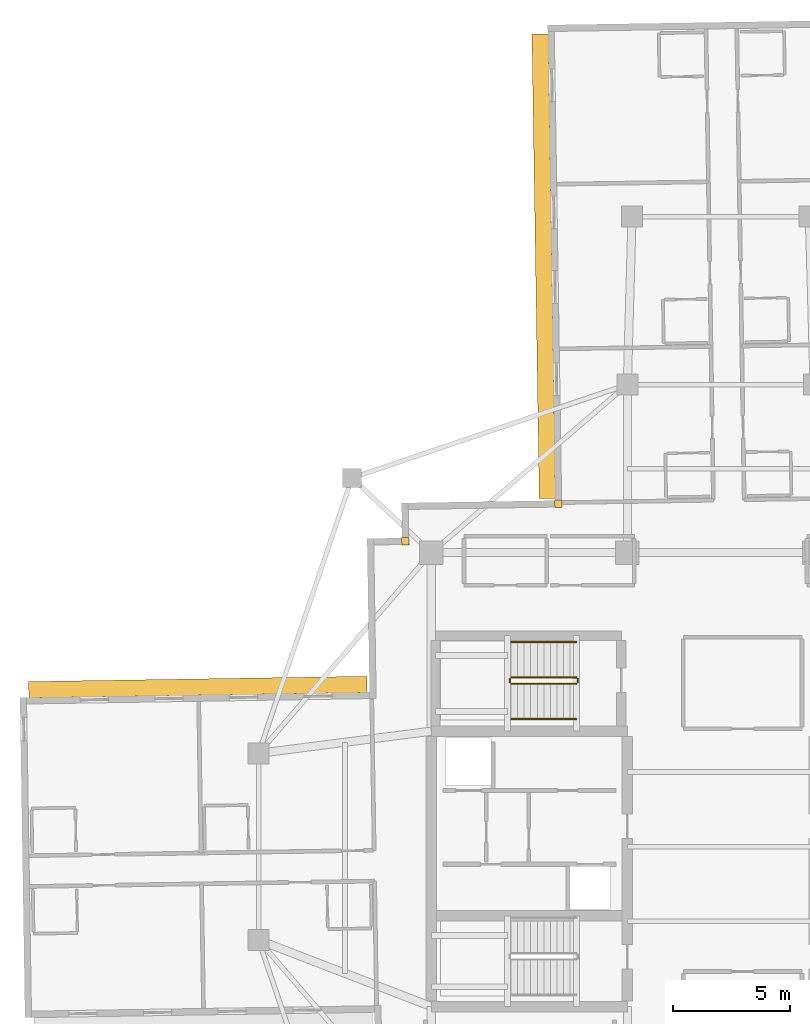
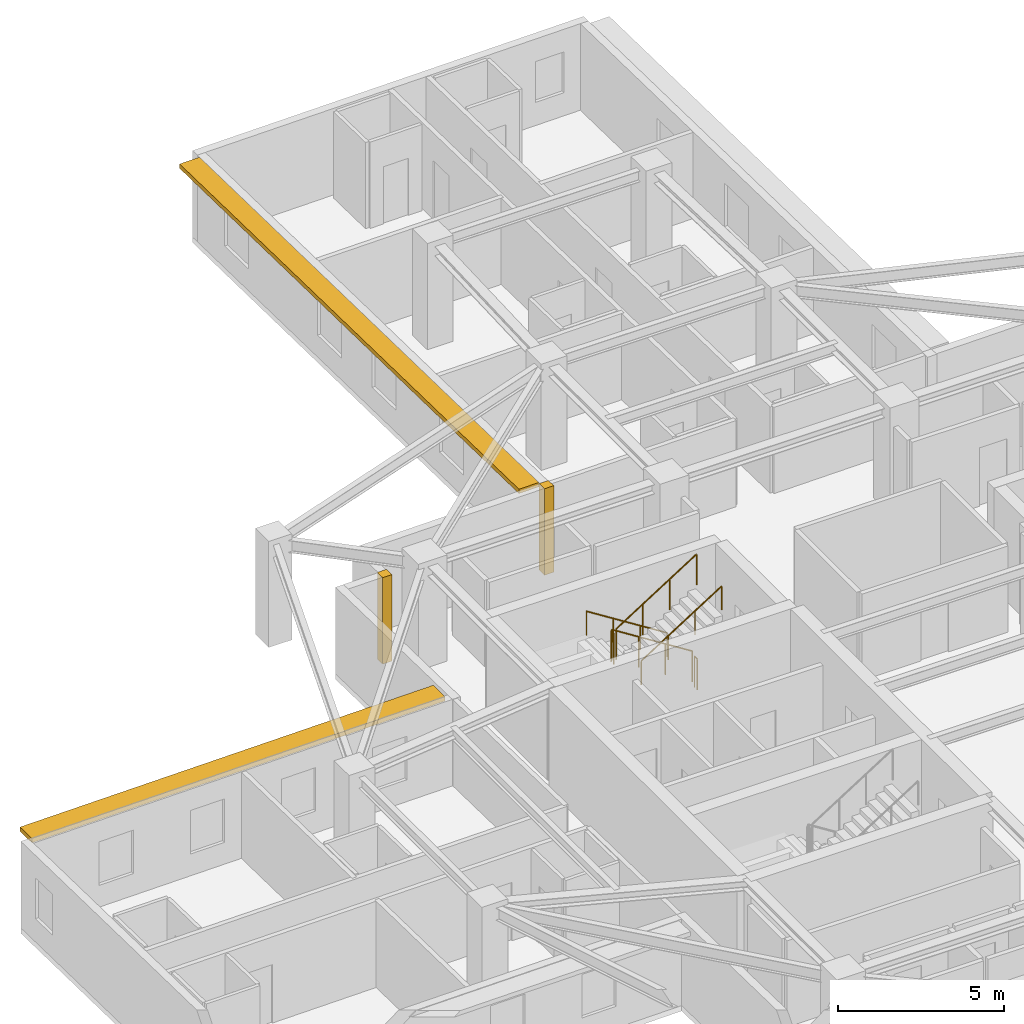
# One storey, part 12 of 13: 6 railings, 2 coverings, 2 shading devices.
"""IFC4 building model written with IfcOpenShell, lengths in metres."""

from ifc_helpers import new_model, si_unit, direction, frame, origin, origin_2d, place, context, subcontext, project, spatial, rectangle, circle, extrude, material, layer, layer_set, type_object, element, save


model = new_model("IFC4")

# Units and contexts
model_context = context("Model", 3, precision=1e-05, world=origin(), true_north=direction((0.0, 1.0)))
body_context = subcontext(model_context, "Body", "Model", "MODEL_VIEW")
ifc_project = project(units=[si_unit("LENGTHUNIT", "METRE"), si_unit("AREAUNIT", "SQUARE_METRE"), si_unit("VOLUMEUNIT", "CUBIC_METRE"), si_unit("PLANEANGLEUNIT", "RADIAN"), si_unit("MASSUNIT", "GRAM", prefix="KILO")], contexts=[model_context])

# Site, building, storey
site_placement = place(None, origin())
site = spatial("IfcSite", under=ifc_project, at=site_placement, CompositionType="ELEMENT")
building_placement = place(site_placement, origin())
building = spatial("IfcBuilding", under=site, at=building_placement, Name="Qingluan Cross Belvedere", CompositionType="ELEMENT")
storey_placement = place(building_placement, frame((0.0, 0.0, 220.800048828125)))
storey = spatial("IfcBuildingStorey", under=building, at=storey_placement, Name="L55", CompositionType="ELEMENT", Elevation=220.800048828125)

# Coverings
ifc_material_1 = material(Name="Precast concrete C45", Category="concrete")
ifc_layer_1 = layer(ifc_material_1, 0.1201171875, Name="ConcreteSpandrelCladding_120")
ifc_layer_set_1 = layer_set([ifc_layer_1], Name="Precast concrete C45")
covering_type = type_object("IfcCoveringType", Name="ConcreteSpandrelCladding_120", PredefinedType="CLADDING", material=ifc_layer_set_1)
for number, where, z_axis, x_axis, name in (
    (1, (-13.50732421875, 13.089599609375, 0.0), (0.0, 0.0, 1.0), (0.999876632482, 0.015707317312, 0.0), "Corner closure L55-NW1"),
    (2, (-6.95166015625, 14.692626953125, 0.0), (0.0, 0.0, 1.0), (0.999876632482, 0.015707317312, 0.0), "Corner closure L55-NW2"),
):
    element("IfcCovering", number, at=place(storey_placement, frame(where, z_axis=z_axis, x_axis=x_axis)), inside=storey, type_object=covering_type, Name=name, PredefinedType="CLADDING", context=body_context, shape_type="SweptSolid", body=[
        extrude(rectangle(XDim=0.320068359375, YDim=0.320068359375, at=origin_2d()), origin(), (0.0, 0.0, 1.0), 3.179931640625),
    ])

# Shading devices
ifc_material_2 = material(Name="Precast concrete C45", Category="concrete")
ifc_layer_2 = layer(ifc_material_2, 0.139892578125, Name="ConcreteSunshadeBand_700")
ifc_layer_set_2 = layer_set([ifc_layer_2], Name="Precast concrete C45")
shading_device_type = type_object("IfcShadingDeviceType", Name="ConcreteSunshadeBand_700", PredefinedType="USERDEFINED", material=ifc_layer_set_2)
shading_device_1_placement = place(storey_placement, frame((-7.58154296875, 24.8740234375, 3.0), z_axis=(0.0, 0.0, 1.0), x_axis=(0.015711457647, -0.999876567432, 0.0)))
element("IfcShadingDevice", 3, at=shading_device_1_placement, inside=storey, type_object=shading_device_type, Name="Concrete SUNSHADE L55-NB", ObjectType="SUNSHADE", PredefinedType="USERDEFINED", context=body_context, shape_type="SweptSolid", body=[
    extrude(rectangle(XDim=19.89990234375, YDim=0.699951171875, at=origin_2d()), origin(), (0.0, 0.0, 1.0), 0.159912109375),
])
shading_device_2_placement = place(storey_placement, frame((-22.400146484375, 6.839111328125, 3.0), z_axis=(0.0, 0.0, 1.0), x_axis=(-0.999876630106, -0.015707468526, 0.0)))
element("IfcShadingDevice", 4, at=shading_device_2_placement, inside=storey, type_object=shading_device_type, Name="Concrete SUNSHADE L55-WA", ObjectType="SUNSHADE", PredefinedType="USERDEFINED", context=body_context, shape_type="SweptSolid", body=[
    extrude(rectangle(XDim=14.5, YDim=0.699951171875, at=origin_2d()), origin(), (0.0, 0.0, 1.0), 0.159912109375),
])

# Railings
ifc_material_3 = material(Name="Brushed stainless steel tubular handrail", Category="steel")
railing_type_1 = type_object("IfcRailingType", Name="StairPitchHandrail_900", PredefinedType="HANDRAIL", material=ifc_material_3)
railing_1_placement = place(storey_placement, frame((-6.179931640625, 8.77001953125, 0.17724609375)))
element("IfcRailing", 5, at=railing_1_placement, inside=storey, type_object=railing_type_1, Name="L55 ST3 stair handrail 1", PredefinedType="HANDRAIL", context=body_context, shape_type="SweptSolid", body=[
    extrude(circle(Radius=0.02392578125, at=origin_2d()), frame((0.0, 0.0, 0.8759765625), z_axis=(-0.844908973607, 0.0, 0.534910110503), x_axis=(0.0, -1.0, 0.0)), (0.0, 0.0, 1.0), 3.31396484375),
    extrude(circle(Radius=0.02099609375, at=origin_2d()), origin(), (0.0, 0.0, 1.0), 0.851806640625),
    extrude(circle(Radius=0.02099609375, at=origin_2d()), frame((-0.933349609375, 0.0, 0.5908203125)), (0.0, 0.0, 1.0), 0.851806640625),
    extrude(circle(Radius=0.02099609375, at=origin_2d()), frame((-1.86669921875, 0.0, 1.181884765625)), (0.0, 0.0, 1.0), 0.851806640625),
    extrude(circle(Radius=0.02099609375, at=origin_2d()), frame((-2.800048828125, 0.0, 1.772705078125)), (0.0, 0.0, 1.0), 0.851806640625),
])
railing_2_placement = place(storey_placement, frame((-8.97998046875, 5.469970703125, 2.127197265625)))
element("IfcRailing", 6, at=railing_2_placement, inside=storey, type_object=railing_type_1, Name="L55 ST3 stair handrail 2", PredefinedType="HANDRAIL", context=body_context, shape_type="SweptSolid", body=[
    extrude(circle(Radius=0.02392578125, at=origin_2d()), frame((0.0, 0.0, 0.8759765625), z_axis=(0.844908973607, 0.0, 0.534910110503), x_axis=(0.0, 1.0, 0.0)), (0.0, 0.0, 1.0), 3.31396484375),
    extrude(circle(Radius=0.02099609375, at=origin_2d()), origin(), (0.0, 0.0, 1.0), 0.851806640625),
    extrude(circle(Radius=0.02099609375, at=origin_2d()), frame((0.933349609375, 0.0, 0.5908203125)), (0.0, 0.0, 1.0), 0.851806640625),
    extrude(circle(Radius=0.02099609375, at=origin_2d()), frame((1.86669921875, 0.0, 1.181884765625)), (0.0, 0.0, 1.0), 0.851806640625),
    extrude(circle(Radius=0.02099609375, at=origin_2d()), frame((2.800048828125, 0.0, 1.772705078125)), (0.0, 0.0, 1.0), 0.851806640625),
])
ifc_material_4 = material(Name="Painted steel stair well guard", Category="steel")
railing_type_2 = type_object("IfcRailingType", Name="StairWellGuard_1150", PredefinedType="BALUSTRADE", material=ifc_material_4)
railing_3_placement = place(storey_placement, frame((-6.179931640625, 7.25, 0.17724609375)))
element("IfcRailing", 7, at=railing_3_placement, inside=storey, type_object=railing_type_2, Name="L55 ST3 stair guard 1", PredefinedType="BALUSTRADE", context=body_context, shape_type="SweptSolid", body=[
    extrude(circle(Radius=0.02392578125, at=origin_2d()), frame((0.0, 0.0, 1.1259765625), z_axis=(-0.844908973607, 0.0, 0.534910110503), x_axis=(0.0, -1.0, 0.0)), (0.0, 0.0, 1.0), 3.31396484375),
    extrude(circle(Radius=0.02099609375, at=origin_2d()), origin(), (0.0, 0.0, 1.0), 1.101806640625),
    extrude(circle(Radius=0.02099609375, at=origin_2d()), frame((-0.933349609375, 0.0, 0.5908203125)), (0.0, 0.0, 1.0), 1.101806640625),
    extrude(circle(Radius=0.02099609375, at=origin_2d()), frame((-1.86669921875, 0.0, 1.181884765625)), (0.0, 0.0, 1.0), 1.101806640625),
    extrude(circle(Radius=0.02099609375, at=origin_2d()), frame((-2.800048828125, 0.0, 1.772705078125)), (0.0, 0.0, 1.0), 1.101806640625),
])
railing_4_placement = place(storey_placement, frame((-9.030029296875, 7.199951171875, 1.949951171875)))
element("IfcRailing", 8, at=railing_4_placement, inside=storey, type_object=railing_type_2, Name="L55 ST3 stair guard 2", PredefinedType="BALUSTRADE", context=body_context, shape_type="SweptSolid", body=[
    extrude(circle(Radius=0.02392578125, at=origin_2d()), frame((0.0, 0.0, 1.1259765625), z_axis=(0.0, -1.0, 0.0), x_axis=(1.0, 0.0, 0.0)), (0.0, 0.0, 1.0), 0.159912109375),
    extrude(circle(Radius=0.02099609375, at=origin_2d()), origin(), (0.0, 0.0, 1.0), 1.101806640625),
    extrude(circle(Radius=0.02099609375, at=origin_2d()), frame((0.0, -0.159912109375, 0.0)), (0.0, 0.0, 1.0), 1.101806640625),
])
railing_5_placement = place(storey_placement, frame((-8.97998046875, 6.989990234375, 2.127197265625)))
element("IfcRailing", 9, at=railing_5_placement, inside=storey, type_object=railing_type_2, Name="L55 ST3 stair guard 3", PredefinedType="BALUSTRADE", context=body_context, shape_type="SweptSolid", body=[
    extrude(circle(Radius=0.02392578125, at=origin_2d()), frame((0.0, 0.0, 1.1259765625), z_axis=(0.844908973607, 0.0, 0.534910110503), x_axis=(0.0, 1.0, 0.0)), (0.0, 0.0, 1.0), 3.31396484375),
    extrude(circle(Radius=0.02099609375, at=origin_2d()), origin(), (0.0, 0.0, 1.0), 1.101806640625),
    extrude(circle(Radius=0.02099609375, at=origin_2d()), frame((0.933349609375, 0.0, 0.5908203125)), (0.0, 0.0, 1.0), 1.101806640625),
    extrude(circle(Radius=0.02099609375, at=origin_2d()), frame((1.86669921875, 0.0, 1.181884765625)), (0.0, 0.0, 1.0), 1.101806640625),
    extrude(circle(Radius=0.02099609375, at=origin_2d()), frame((2.800048828125, 0.0, 1.772705078125)), (0.0, 0.0, 1.0), 1.101806640625),
])
railing_6_placement = place(storey_placement, frame((-6.1298828125, 7.199951171875, 0.0)))
element("IfcRailing", 10, at=railing_6_placement, inside=storey, type_object=railing_type_2, Name="L55 ST3 stair guard 4", PredefinedType="BALUSTRADE", context=body_context, shape_type="SweptSolid", body=[
    extrude(circle(Radius=0.02392578125, at=origin_2d()), frame((0.0, 0.0, 1.1259765625), z_axis=(0.0, -1.0, 0.0), x_axis=(1.0, 0.0, 0.0)), (0.0, 0.0, 1.0), 0.159912109375),
    extrude(circle(Radius=0.02099609375, at=origin_2d()), origin(), (0.0, 0.0, 1.0), 1.101806640625),
    extrude(circle(Radius=0.02099609375, at=origin_2d()), frame((0.0, -0.159912109375, 0.0)), (0.0, 0.0, 1.0), 1.101806640625),
])

save(model, "model.ifc")
